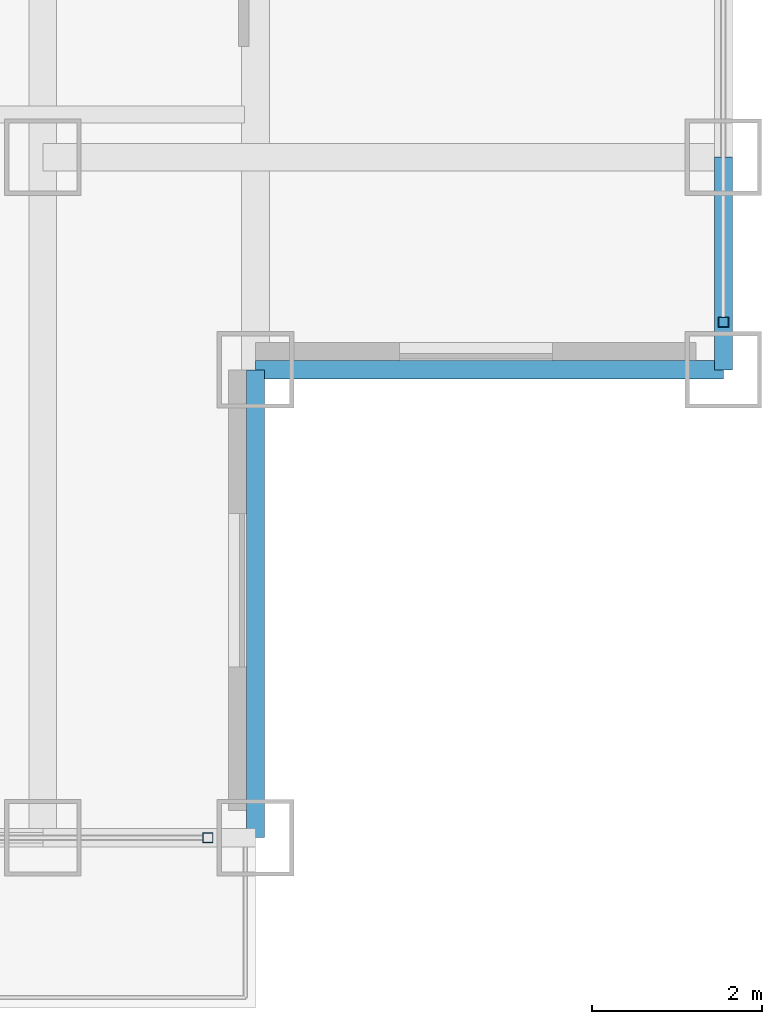
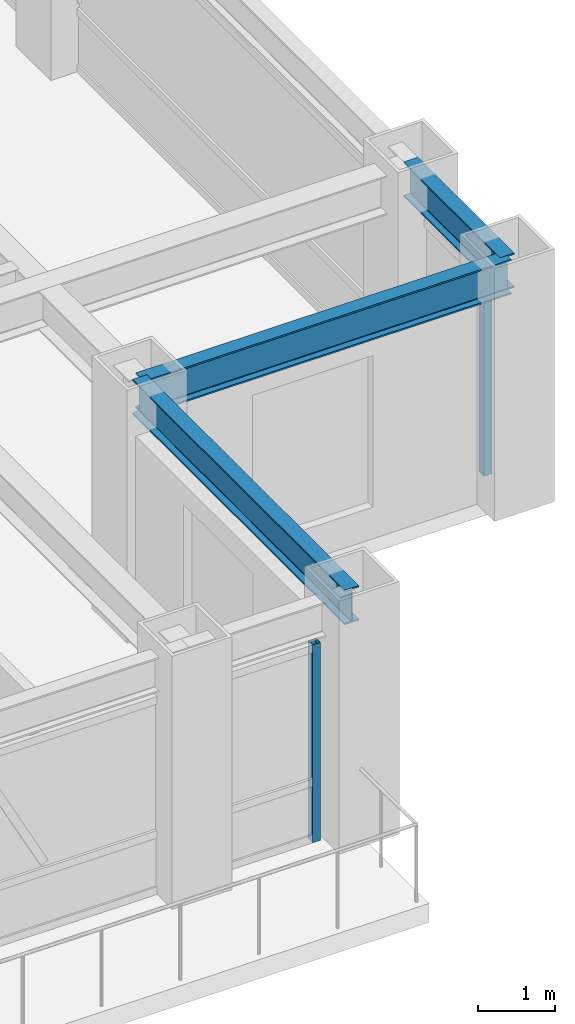
# One storey, part 11 of 32: 3 beams, 2 members, 2 elements without a shape of their own.
"""IFC4 building model written with IfcOpenShell, lengths in metres."""

from ifc_helpers import new_model, si_unit, direction, frame, origin, origin_2d, place, context, subcontext, project, spatial, hollow_rectangle, i_section, extrude, source, transform, mapped, material, material_profile, profile_set, type_object, element, aggregate, save


model = new_model("IFC4")

# Units and contexts
model_context = context("Model", 3, precision=1e-05, world=origin(), true_north=direction((0.0, 1.0)))
body_context = subcontext(model_context, "Body", "Model", "MODEL_VIEW")
ifc_project = project(units=[si_unit("LENGTHUNIT", "METRE"), si_unit("AREAUNIT", "SQUARE_METRE"), si_unit("VOLUMEUNIT", "CUBIC_METRE"), si_unit("PLANEANGLEUNIT", "RADIAN"), si_unit("MASSUNIT", "GRAM", prefix="KILO")], contexts=[model_context])

# Site, building, storey
site_placement = place(None, origin())
site = spatial("IfcSite", under=ifc_project, at=site_placement, CompositionType="ELEMENT")
building_placement = place(site_placement, origin())
building = spatial("IfcBuilding", under=site, at=building_placement, Name="Khorayat Bourse Tower", CompositionType="ELEMENT")
storey_placement = place(building_placement, frame((0.0, 0.0, 273.5)))
storey = spatial("IfcBuildingStorey", under=building, at=storey_placement, Name="L64", CompositionType="ELEMENT", Elevation=273.5)

# Beams
ifc_material_1 = material(Name="Steel ASTM A992 Grade 50", Category="steel")
ifc_material_profile_1 = material_profile(ifc_material_1, i_section(OverallWidth=0.214111328125, OverallDepth=0.549072265625, WebThickness=0.0146484375, FlangeThickness=0.023681640625, FilletRadius=0.013916015625, at=origin_2d()), Name="W530X138")
ifc_profile_set_1 = profile_set([ifc_material_profile_1], Name="Steel ASTM A992 Grade 50")
beam_type = type_object("IfcBeamType", Name="BM-SPAN-530", PredefinedType="SPANDREL", material=ifc_profile_set_1)
shared_shape_1 = source(origin(), body_context, "Body", "SweptSolid", [
    extrude(i_section(OverallWidth=0.214111328125, OverallDepth=0.549072265625, WebThickness=0.0146484375, FlangeThickness=0.023681640625, FilletRadius=0.013916015625, at=origin_2d()), origin(), (0.0, 0.0, 1.0), 2.5),
])
beam_placement = place(storey_placement, frame((28.0, -22.5, 3.505615234375), z_axis=(0.0, 1.0, 0.0), x_axis=(-1.0, 0.0, 0.0)))
element("IfcBeam", 1, at=beam_placement, inside=storey, type_object=beam_type, Name="L64 BM-SPAN-530 BM-L64-SPN-034", PredefinedType="SPANDREL", context=body_context, shape_type="MappedRepresentation", body=[
    mapped(shared_shape_1, transform((0.0, 0.0, 0.0), scale=1.0)),
])
shared_shape_2 = source(origin(), body_context, "Body", "SweptSolid", [
    extrude(i_section(OverallWidth=0.214111328125, OverallDepth=0.549072265625, WebThickness=0.0146484375, FlangeThickness=0.023681640625, FilletRadius=0.013916015625, at=origin_2d()), origin(), (0.0, 0.0, 1.0), 5.5),
])
for number, where, z_axis, x_axis, name in (
    (2, (22.5, -28.0, 3.505615234375), (0.0, 1.0, 0.0), (-1.0, 0.0, 0.0), "L64 BM-SPAN-530 BM-L64-SPN-032"),
    (3, (22.5, -22.5, 3.505615234375), (1.0, 0.0, 0.0), (0.0, 1.0, 0.0), "L64 BM-SPAN-530 BM-L64-SPN-033"),
):
    element("IfcBeam", number, at=place(storey_placement, frame(where, z_axis=z_axis, x_axis=x_axis)), inside=storey, type_object=beam_type, Name=name, PredefinedType="SPANDREL", context=body_context, shape_type="MappedRepresentation", body=[
        mapped(shared_shape_2, transform((0.0, 0.0, 0.0), scale=1.0)),
    ])

# Curtain wall, member
ifc_material_2 = material(Name="Aluminium EN AW-6063 T6", Category="aluminium")
curtain_wall_type = type_object("IfcCurtainWallType", Name="CW-SYS-04", PredefinedType="NOTDEFINED", material=ifc_material_2)
curtain_wall_1_placement = place(storey_placement, origin())
curtain_wall_1 = element("IfcCurtainWall", 4, at=curtain_wall_1_placement, inside=storey, type_object=curtain_wall_type, Name="L64 Curtain Wall CW-L64-S2", PredefinedType="NOTDEFINED")
ifc_material_profile_2 = material_profile(ifc_material_2, hollow_rectangle(XDim=0.1201171875, YDim=0.1201171875, WallThickness=0.0048828125, at=origin_2d()), Name="ALU 120x120x5")
ifc_profile_set_2 = profile_set([ifc_material_profile_2], Name="Aluminium EN AW-6063 T6")
member_type = type_object("IfcMemberType", Name="CWM-VERT-120", PredefinedType="MULLION", material=ifc_profile_set_2)
shared_shape_3 = source(origin(), body_context, "Body", "SweptSolid", [
    extrude(hollow_rectangle(XDim=0.1201171875, YDim=0.1201171875, WallThickness=0.0048828125, at=origin_2d()), origin(), (0.0, 0.0, 1.0), 3.1298828125),
])
member_1_placement = place(storey_placement, frame((21.93994140625, -28.0, 0.0), z_axis=(0.0, 0.0, 1.0), x_axis=(0.0, 1.0, 0.0)))
member_1 = element("IfcMember", 5, at=member_1_placement, type_object=member_type, Name="CW-L64-S2 Vertical Mullion 3", PredefinedType="MULLION", context=body_context, shape_type="MappedRepresentation", body=[
    mapped(shared_shape_3, transform((0.0, 0.0, 0.0), scale=1.0)),
])
aggregate(curtain_wall_1, [member_1])

curtain_wall_2_placement = place(storey_placement, origin())
curtain_wall_2 = element("IfcCurtainWall", 6, at=curtain_wall_2_placement, inside=storey, type_object=curtain_wall_type, Name="L64 Curtain Wall CW-L64-E1", PredefinedType="NOTDEFINED")
member_2_placement = place(storey_placement, frame((28.0, -21.93994140625, 0.0), z_axis=(0.0, 0.0, 1.0), x_axis=(-1.0, 0.0, 0.0)))
member_2 = element("IfcMember", 7, at=member_2_placement, type_object=member_type, Name="CW-L64-E1 Vertical Mullion 1", PredefinedType="MULLION", context=body_context, shape_type="MappedRepresentation", body=[
    mapped(shared_shape_3, transform((0.0, 0.0, 0.0), scale=1.0)),
])
aggregate(curtain_wall_2, [member_2])

save(model, "model.ifc")
